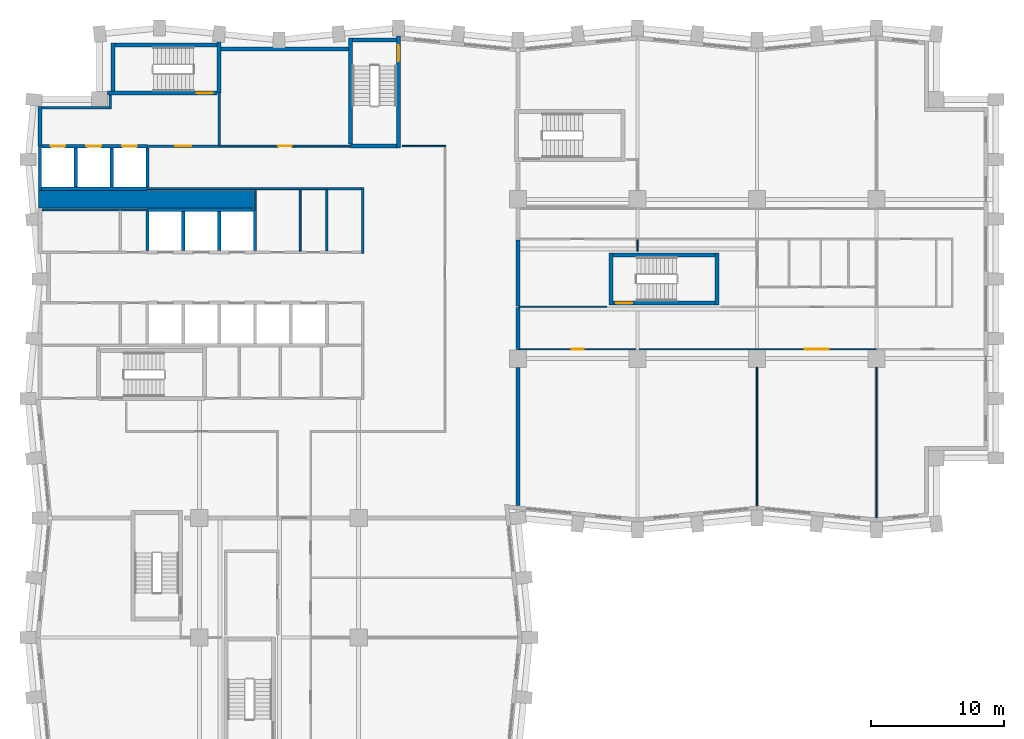
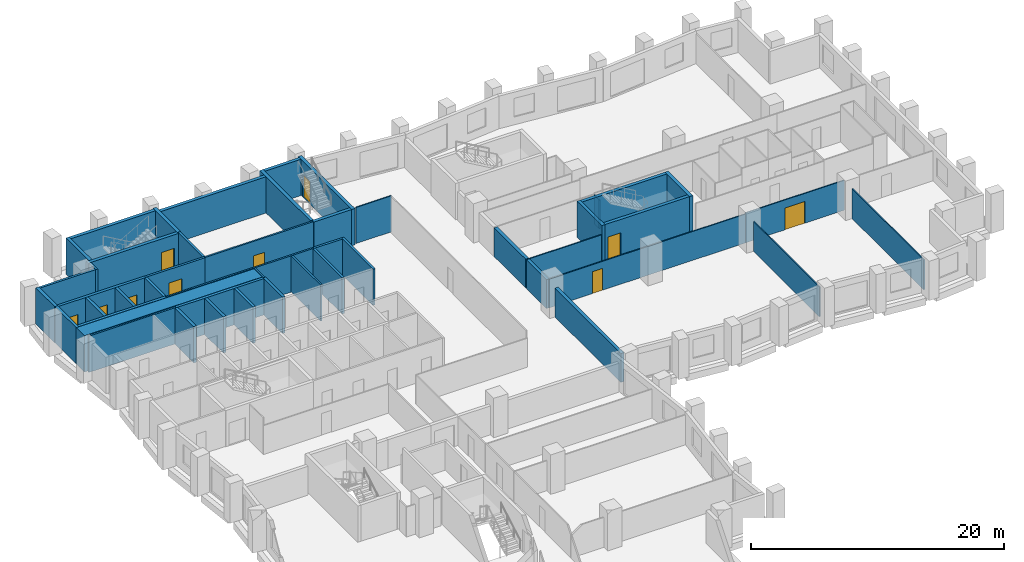
# One storey, part 6 of 11: 48 walls, 10 doors, 10 openings.
"""IFC4 building model written with IfcOpenShell, lengths in metres."""

from ifc_helpers import new_model, si_unit, direction, frame, frame_2d, origin, place, context, subcontext, project, spatial, rectangle, extrude, material, layer, layer_set, type_object, element, fill, save


model = new_model("IFC4")

# Units and contexts
model_context = context("Model", 3, precision=1e-05, world=origin(), true_north=direction((0.0, 1.0)))
body_context = subcontext(model_context, "Body", "Model", "MODEL_VIEW")
ifc_project = project(units=[si_unit("LENGTHUNIT", "METRE"), si_unit("AREAUNIT", "SQUARE_METRE"), si_unit("VOLUMEUNIT", "CUBIC_METRE"), si_unit("PLANEANGLEUNIT", "RADIAN"), si_unit("MASSUNIT", "GRAM", prefix="KILO")], contexts=[model_context])

# Site, building, storey
site_placement = place(None, origin())
site = spatial("IfcSite", under=ifc_project, at=site_placement, CompositionType="ELEMENT")
building_placement = place(site_placement, origin())
building = spatial("IfcBuilding", under=site, at=building_placement, Name="Brondeck Convention Tower", CompositionType="ELEMENT")
storey_placement = place(building_placement, frame((0.0, 0.0, 107.5)))
storey = spatial("IfcBuildingStorey", under=building, at=storey_placement, Name="L25", CompositionType="ELEMENT", Elevation=107.5)

# Walls
ifc_material_1 = material(Name="Concrete compartment wall C30/37", Category="concrete")
ifc_layer_1 = layer(ifc_material_1, 0.300048828125)
ifc_layer_set_1 = layer_set([ifc_layer_1], Name="Compartment wall 300")
wall_type_1 = type_object("IfcWallType", Name="Compartment wall 300", PredefinedType="PARTITIONING", material=ifc_layer_set_1)
wall_1_placement = place(storey_placement, frame((36.0, 27.924560546875, 0.0), z_axis=(0.0, 0.0, 1.0), x_axis=(0.0, 1.0, 0.0)))
element("IfcWall", 1, at=wall_1_placement, inside=storey, type_object=wall_type_1, Name="FLR-L25-W027", PredefinedType="PARTITIONING", context=body_context, shape_type="SweptSolid", body=[
    extrude(rectangle(XDim=10.42041015625, YDim=0.300048828125, at=frame_2d((5.210205078125, 0.0))), origin(), (0.0, 0.0, 1.0), 2.780029296875),
])
wall_2_placement = place(storey_placement, frame((36.0, 39.669921875, 0.0), z_axis=(0.0, 0.0, 1.0), x_axis=(0.0, 1.0, 0.0)))
element("IfcWall", 2, at=wall_2_placement, inside=storey, type_object=wall_type_1, Name="FLR-L25-W037", PredefinedType="PARTITIONING", context=body_context, shape_type="SweptSolid", body=[
    extrude(rectangle(XDim=3.18017578125, YDim=0.300048828125, at=frame_2d((1.590087890625, 0.0))), origin(), (0.0, 0.0, 1.0), 2.780029296875),
])
wall_3_placement = place(storey_placement, frame((36.0, 42.949951171875, 0.0), z_axis=(0.0, 0.0, 1.0), x_axis=(0.0, 1.0, 0.0)))
element("IfcWall", 3, at=wall_3_placement, inside=storey, type_object=wall_type_1, Name="FLR-L25-W042", PredefinedType="PARTITIONING", context=body_context, shape_type="SweptSolid", body=[
    extrude(rectangle(XDim=5.0, YDim=0.300048828125, at=frame_2d((2.5, 0.0))), origin(), (0.0, 0.0, 1.0), 2.780029296875),
])
ifc_material_2 = material(Name="Concrete C70/85", Category="concrete")
ifc_layer_2 = layer(ifc_material_2, 0.199951171875)
ifc_layer_set_2 = layer_set([ifc_layer_2], Name="Core beam-seat wall 200 Concrete C70/85")
wall_type_2 = type_object("IfcWallType", Name="Core beam-seat wall 200 Concrete C70/85", PredefinedType="SHEAR", material=ifc_layer_set_2)
wall_4_placement = place(storey_placement, frame((24.300048828125, 46.89990234375, 0.0), z_axis=(0.0, 0.0, 1.0), x_axis=(0.0, 1.0, 0.0)))
element("IfcWall", 4, at=wall_4_placement, inside=storey, type_object=wall_type_2, Name="L25 core wall", PredefinedType="SHEAR", context=body_context, shape_type="SweptSolid", body=[
    extrude(rectangle(XDim=5.0, YDim=0.199951171875, at=frame_2d((2.5, 0.0))), origin(), (0.0, 0.0, 1.0), 3.5),
])
ifc_layer_3 = layer(ifc_material_2, 0.300048828125)
ifc_layer_set_3 = layer_set([ifc_layer_3], Name="Core outer wall 300 Concrete C70/85")
wall_type_3 = type_object("IfcWallType", Name="Core outer wall 300 Concrete C70/85", PredefinedType="SHEAR", material=ifc_layer_set_3)
wall_5_placement = place(storey_placement, frame((13.64990234375, 62.300048828125, 0.0), z_axis=(0.0, 0.0, 1.0), x_axis=(1.0, 0.0, 0.0)))
element("IfcWall", 5, at=wall_5_placement, inside=storey, type_object=wall_type_3, Name="L25 core wall", PredefinedType="SHEAR", context=body_context, shape_type="SweptSolid", body=[
    extrude(rectangle(XDim=9.60009765625, YDim=0.300048828125, at=frame_2d((4.800048828125, 0.0))), origin(), (0.0, 0.0, 1.0), 3.5),
])
wall_6_placement = place(storey_placement, frame((0.0, 55.0, 0.0), z_axis=(0.0, 0.0, 1.0), x_axis=(0.0, 1.0, 0.0)))
element("IfcWall", 6, at=wall_6_placement, inside=storey, type_object=wall_type_3, Name="L25 core wall", PredefinedType="SHEAR", context=body_context, shape_type="SweptSolid", body=[
    extrude(rectangle(XDim=3.0, YDim=0.300048828125, at=frame_2d((1.5, 0.0))), origin(), (0.0, 0.0, 1.0), 3.5),
])
ifc_material_3 = material(Name="Fire-rated gypsum board partition")
ifc_layer_4 = layer(ifc_material_3, 0.14990234375)
ifc_layer_set_4 = layer_set([ifc_layer_4], Name="Core partition 150 EI 60")
wall_type_4 = type_object("IfcWallType", Name="Core partition 150 EI 60", PredefinedType="PARTITIONING", material=ifc_layer_set_4)
wall_7_placement = place(storey_placement, frame((0.14990234375, 50.199951171875, 0.0), z_axis=(0.0, 0.0, 1.0), x_axis=(1.0, 0.0, 0.0)))
element("IfcWall", 7, at=wall_7_placement, inside=storey, type_object=wall_type_4, Name="L25 core wall", PredefinedType="PARTITIONING", context=body_context, shape_type="SweptSolid", body=[
    extrude(rectangle(XDim=7.9501953125, YDim=0.14990234375, at=frame_2d((3.97509765625, 0.0))), origin(), (0.0, 0.0, 1.0), 3.5),
])
wall_8_placement = place(storey_placement, frame((8.10009765625, 51.800048828125, 0.0), z_axis=(0.0, 0.0, 1.0), x_axis=(1.0, 0.0, 0.0)))
element("IfcWall", 8, at=wall_8_placement, inside=storey, type_object=wall_type_4, Name="L25 core wall", PredefinedType="PARTITIONING", context=body_context, shape_type="SweptSolid", body=[
    extrude(rectangle(XDim=13.5, YDim=0.14990234375, at=frame_2d((6.75, 0.0))), origin(), (0.0, 0.0, 1.0), 3.5),
])

# Wall, opening, door
wall_9_placement = place(storey_placement, frame((13.5, 55.0, 0.0), z_axis=(0.0, 0.0, 1.0), x_axis=(1.0, 0.0, 0.0)))
wall_9 = element("IfcWall", 9, at=wall_9_placement, inside=storey, type_object=wall_type_4, Name="L25 core wall", PredefinedType="PARTITIONING", context=body_context, shape_type="SweptSolid", body=[
    extrude(rectangle(XDim=9.89990234375, YDim=0.14990234375, at=frame_2d((4.949951171875, 0.0))), origin(), (0.0, 0.0, 1.0), 3.5),
])
opening_1_placement = place(wall_9_placement, frame((4.449951171875, 0.0, 0.0)))
opening_1 = element("IfcOpeningElement", 10, at=opening_1_placement, cuts=wall_9, Name="Opening C15-15", PredefinedType="OPENING", context=body_context, shape_type="SweptSolid", body=[
    extrude(rectangle(XDim=1.0, YDim=2.10009765625, at=frame_2d((0.5, 1.050048828125))), frame((0.0, 0.0849609375, 0.0), z_axis=(0.0, -1.0, 0.0), x_axis=(1.0, 0.0, 0.0)), (0.0, 0.0, 1.0), 0.169921875),
])
ifc_material_4 = material(Name="Steel fire door", Category="steel")
door_type_1 = type_object("IfcDoorType", Name="Room door 1000x2100 EI 60", OperationType="NOTDEFINED", PredefinedType="DOOR", material=ifc_material_4)
door_1_placement = place(opening_1_placement, origin())
door_1 = element("IfcDoor", 11, at=door_1_placement, inside=storey, type_object=door_type_1, Name="L25 Room door NE-1", OperationType="SINGLE_SWING_LEFT", OverallHeight=2.10009765625, OverallWidth=1.0, PredefinedType="DOOR", context=body_context, shape_type="SweptSolid", body=[
    extrude(rectangle(XDim=1.0, YDim=2.10009765625, at=frame_2d((0.5, 1.050048828125))), frame((0.0, 0.02490234375, 0.0), z_axis=(0.0, -1.0, 0.0), x_axis=(1.0, 0.0, 0.0)), (0.0, 0.0, 1.0), 0.050048828125),
])
fill(opening_1, door_1)

# Walls
wall_10_placement = place(storey_placement, frame((16.199951171875, 50.199951171875, 0.0), z_axis=(0.0, 0.0, 1.0), x_axis=(0.0, 1.0, 0.0)))
element("IfcWall", 12, at=wall_10_placement, inside=storey, type_object=wall_type_4, Name="L25 core wall", PredefinedType="PARTITIONING", context=body_context, shape_type="SweptSolid", body=[
    extrude(rectangle(XDim=1.525146484375, YDim=0.14990234375, at=frame_2d((0.7626953125, 0.0))), origin(), (0.0, 0.0, 1.0), 3.5),
])
wall_11_placement = place(storey_placement, frame((19.60009765625, 47.10009765625, 0.0), z_axis=(0.0, 0.0, 1.0), x_axis=(0.0, 1.0, 0.0)))
element("IfcWall", 13, at=wall_11_placement, inside=storey, type_object=wall_type_4, Name="L25 core wall", PredefinedType="PARTITIONING", context=body_context, shape_type="SweptSolid", body=[
    extrude(rectangle(XDim=4.625, YDim=0.14990234375, at=frame_2d((2.3125, 0.0))), origin(), (0.0, 0.0, 1.0), 3.5),
])
ifc_layer_5 = layer(ifc_material_2, 1.300048828125)
ifc_layer_set_5 = layer_set([ifc_layer_5], Name="Core shear wall 1300 Concrete C70/85")
wall_type_5 = type_object("IfcWallType", Name="Core shear wall 1300 Concrete C70/85", PredefinedType="SHEAR", material=ifc_layer_set_5)
wall_12_placement = place(storey_placement, frame((-0.125, 51.0, 0.0), z_axis=(0.0, 0.0, 1.0), x_axis=(1.0, 0.0, 0.0)))
element("IfcWall", 14, at=wall_12_placement, inside=storey, type_object=wall_type_5, Name="L25 core wall", PredefinedType="SHEAR", context=body_context, shape_type="SweptSolid", body=[
    extrude(rectangle(XDim=16.22509765625, YDim=1.300048828125, at=frame_2d((8.112548828125, 0.0))), origin(), (0.0, 0.0, 1.0), 3.5),
])

# Wall, opening, door
ifc_layer_6 = layer(ifc_material_3, 0.199951171875)
ifc_layer_set_6 = layer_set([ifc_layer_6], Name="Firefighting lobby wall 200 EI 120")
wall_type_6 = type_object("IfcWallType", Name="Firefighting lobby wall 200 EI 120", PredefinedType="PARTITIONING", material=ifc_layer_set_6)
wall_13_placement = place(storey_placement, frame((8.10009765625, 55.0, 0.0), z_axis=(0.0, 0.0, 1.0), x_axis=(1.0, 0.0, 0.0)))
wall_13 = element("IfcWall", 15, at=wall_13_placement, inside=storey, type_object=wall_type_6, Name="L25 core wall", PredefinedType="PARTITIONING", context=body_context, shape_type="SweptSolid", body=[
    extrude(rectangle(XDim=5.39990234375, YDim=0.199951171875, at=frame_2d((2.699951171875, 0.0))), origin(), (0.0, 0.0, 1.0), 3.5),
])
opening_2_placement = place(wall_13_placement, frame((2.10009765625, 0.0, 0.0)))
opening_2 = element("IfcOpeningElement", 16, at=opening_2_placement, cuts=wall_13, Name="Opening C15-01", PredefinedType="OPENING", context=body_context, shape_type="SweptSolid", body=[
    extrude(rectangle(XDim=1.199951171875, YDim=2.199951171875, at=frame_2d((0.60009765625, 1.10009765625))), frame((0.0, 0.10986328125, 0.0), z_axis=(0.0, -1.0, 0.0), x_axis=(1.0, 0.0, 0.0)), (0.0, 0.0, 1.0), 0.219970703125),
])
door_type_2 = type_object("IfcDoorType", Name="Firefighting lobby door 1200x2200 EI 120", OperationType="NOTDEFINED", PredefinedType="DOOR", material=ifc_material_4)
door_2_placement = place(opening_2_placement, origin())
door_2 = element("IfcDoor", 17, at=door_2_placement, inside=storey, type_object=door_type_2, Name="L25 Firefighting lobby door FFL-1", OperationType="SINGLE_SWING_RIGHT", OverallHeight=2.199951171875, OverallWidth=1.199951171875, PredefinedType="DOOR", context=body_context, shape_type="SweptSolid", body=[
    extrude(rectangle(XDim=1.199951171875, YDim=2.199951171875, at=frame_2d((0.60009765625, 1.10009765625))), frame((0.0, 0.02490234375, 0.0), z_axis=(0.0, -1.0, 0.0), x_axis=(1.0, 0.0, 0.0)), (0.0, 0.0, 1.0), 0.050048828125),
])
fill(opening_2, door_2)

# Walls
wall_14_placement = place(storey_placement, frame((0.14990234375, 57.89990234375, 0.0), z_axis=(0.0, 0.0, 1.0), x_axis=(1.0, 0.0, 0.0)))
element("IfcWall", 18, at=wall_14_placement, inside=storey, type_object=wall_type_6, Name="L25 core wall", PredefinedType="PARTITIONING", context=body_context, shape_type="SweptSolid", body=[
    extrude(rectangle(XDim=5.050048828125, YDim=0.199951171875, at=frame_2d((2.52490234375, 0.0))), origin(), (0.0, 0.0, 1.0), 3.5),
])
wall_15_placement = place(storey_placement, frame((5.300048828125, 57.800048828125, 0.0), z_axis=(0.0, 0.0, 1.0), x_axis=(0.0, 1.0, 0.0)))
element("IfcWall", 19, at=wall_15_placement, inside=storey, type_object=wall_type_6, Name="L25 core wall", PredefinedType="PARTITIONING", context=body_context, shape_type="SweptSolid", body=[
    extrude(rectangle(XDim=1.050048828125, YDim=0.199951171875, at=frame_2d((0.52490234375, 0.0))), origin(), (0.0, 0.0, 1.0), 3.5),
])
wall_16_placement = place(storey_placement, frame((13.5, 55.10009765625, 0.0), z_axis=(0.0, 0.0, 1.0), x_axis=(0.0, 1.0, 0.0)))
element("IfcWall", 20, at=wall_16_placement, inside=storey, type_object=wall_type_6, Name="L25 core wall", PredefinedType="PARTITIONING", context=body_context, shape_type="SweptSolid", body=[
    extrude(rectangle(XDim=3.89990234375, YDim=0.199951171875, at=frame_2d((1.949951171875, 0.0))), origin(), (0.0, 0.0, 1.0), 3.5),
])
ifc_layer_7 = layer(ifc_material_2, 0.25)
ifc_layer_set_7 = layer_set([ifc_layer_7], Name="Lift shaft wall 250 Concrete C70/85")
wall_type_7 = type_object("IfcWallType", Name="Lift shaft wall 250 Concrete C70/85", PredefinedType="SHEAR", material=ifc_layer_set_7)
wall_17_placement = place(storey_placement, frame((8.10009765625, 50.199951171875, 0.0), z_axis=(0.0, 0.0, 1.0), x_axis=(1.0, 0.0, 0.0)))
element("IfcWall", 21, at=wall_17_placement, inside=storey, type_object=wall_type_7, Name="L25 core wall", PredefinedType="SHEAR", context=body_context, shape_type="SweptSolid", body=[
    extrude(rectangle(XDim=7.974853515625, YDim=0.25, at=frame_2d((3.9873046875, 0.0))), origin(), (0.0, 0.0, 1.0), 3.5),
])
wall_18_placement = place(storey_placement, frame((0.125, 51.800048828125, 0.0), z_axis=(0.0, 0.0, 1.0), x_axis=(1.0, 0.0, 0.0)))
element("IfcWall", 22, at=wall_18_placement, inside=storey, type_object=wall_type_7, Name="L25 core wall", PredefinedType="SHEAR", context=body_context, shape_type="SweptSolid", body=[
    extrude(rectangle(XDim=7.97509765625, YDim=0.25, at=frame_2d((3.987548828125, 0.0))), origin(), (0.0, 0.0, 1.0), 3.5),
])

# Wall, openings, doors
wall_19_placement = place(storey_placement, frame((0.14990234375, 55.0, 0.0), z_axis=(0.0, 0.0, 1.0), x_axis=(1.0, 0.0, 0.0)))
wall_19 = element("IfcWall", 23, at=wall_19_placement, inside=storey, type_object=wall_type_7, Name="L25 core wall", PredefinedType="SHEAR", context=body_context, shape_type="SweptSolid", body=[
    extrude(rectangle(XDim=7.9501953125, YDim=0.25, at=frame_2d((3.97509765625, 0.0))), origin(), (0.0, 0.0, 1.0), 3.5),
])
opening_3_placement = place(wall_19_placement, frame((0.64990234375, 0.0, 0.0)))
opening_3 = element("IfcOpeningElement", 24, at=opening_3_placement, cuts=wall_19, Name="Opening C15-23", PredefinedType="OPENING", context=body_context, shape_type="SweptSolid", body=[
    extrude(rectangle(XDim=1.10009765625, YDim=2.10009765625, at=frame_2d((0.550048828125, 1.050048828125))), frame((0.0, 0.135009765625, 0.0), z_axis=(0.0, -1.0, 0.0), x_axis=(1.0, 0.0, 0.0)), (0.0, 0.0, 1.0), 0.27001953125),
])
opening_4_placement = place(wall_19_placement, frame((3.35009765625, 0.0, 0.0)))
opening_4 = element("IfcOpeningElement", 25, at=opening_4_placement, cuts=wall_19, Name="Opening C15-24", PredefinedType="OPENING", context=body_context, shape_type="SweptSolid", body=[
    extrude(rectangle(XDim=1.10009765625, YDim=2.10009765625, at=frame_2d((0.550048828125, 1.050048828125))), frame((0.0, 0.135009765625, 0.0), z_axis=(0.0, -1.0, 0.0), x_axis=(1.0, 0.0, 0.0)), (0.0, 0.0, 1.0), 0.27001953125),
])
opening_5_placement = place(wall_19_placement, frame((6.050048828125, 0.0, 0.0)))
opening_5 = element("IfcOpeningElement", 26, at=opening_5_placement, cuts=wall_19, Name="Opening C15-25", PredefinedType="OPENING", context=body_context, shape_type="SweptSolid", body=[
    extrude(rectangle(XDim=1.10009765625, YDim=2.10009765625, at=frame_2d((0.550048828125, 1.050048828125))), frame((0.0, 0.135009765625, 0.0), z_axis=(0.0, -1.0, 0.0), x_axis=(1.0, 0.0, 0.0)), (0.0, 0.0, 1.0), 0.27001953125),
])
ifc_material_5 = material(Name="Stainless steel lift door", Category="steel")
door_type_3 = type_object("IfcDoorType", Name="Lift landing door 1100x2100 EI 180", OperationType="DOUBLE_DOOR_SLIDING", PredefinedType="DOOR", material=ifc_material_5)
door_3_placement = place(opening_3_placement, origin())
door_3 = element("IfcDoor", 27, at=door_3_placement, inside=storey, type_object=door_type_3, Name="L25 Lift landing door FF1", OperationType="DOUBLE_DOOR_SLIDING", OverallHeight=2.10009765625, OverallWidth=1.10009765625, PredefinedType="DOOR", context=body_context, shape_type="SweptSolid", body=[
    extrude(rectangle(XDim=1.10009765625, YDim=2.10009765625, at=frame_2d((0.550048828125, 1.050048828125))), frame((0.0, 0.02490234375, 0.0), z_axis=(0.0, -1.0, 0.0), x_axis=(1.0, 0.0, 0.0)), (0.0, 0.0, 1.0), 0.050048828125),
])
fill(opening_3, door_3)
door_4_placement = place(opening_4_placement, origin())
door_4 = element("IfcDoor", 28, at=door_4_placement, inside=storey, type_object=door_type_3, Name="L25 Lift landing door FF2", OperationType="DOUBLE_DOOR_SLIDING", OverallHeight=2.10009765625, OverallWidth=1.10009765625, PredefinedType="DOOR", context=body_context, shape_type="SweptSolid", body=[
    extrude(rectangle(XDim=1.10009765625, YDim=2.10009765625, at=frame_2d((0.550048828125, 1.050048828125))), frame((0.0, 0.02490234375, 0.0), z_axis=(0.0, -1.0, 0.0), x_axis=(1.0, 0.0, 0.0)), (0.0, 0.0, 1.0), 0.050048828125),
])
fill(opening_4, door_4)
door_5_placement = place(opening_5_placement, origin())
door_5 = element("IfcDoor", 29, at=door_5_placement, inside=storey, type_object=door_type_3, Name="L25 Lift landing door FF3", OperationType="DOUBLE_DOOR_SLIDING", OverallHeight=2.10009765625, OverallWidth=1.10009765625, PredefinedType="DOOR", context=body_context, shape_type="SweptSolid", body=[
    extrude(rectangle(XDim=1.10009765625, YDim=2.10009765625, at=frame_2d((0.550048828125, 1.050048828125))), frame((0.0, 0.02490234375, 0.0), z_axis=(0.0, -1.0, 0.0), x_axis=(1.0, 0.0, 0.0)), (0.0, 0.0, 1.0), 0.050048828125),
])
fill(opening_5, door_5)

# Walls
wall_20_placement = place(storey_placement, frame((0.0, 51.64990234375, 0.0), z_axis=(0.0, 0.0, 1.0), x_axis=(0.0, 1.0, 0.0)))
element("IfcWall", 30, at=wall_20_placement, inside=storey, type_object=wall_type_7, Name="L25 core wall", PredefinedType="SHEAR", context=body_context, shape_type="SweptSolid", body=[
    extrude(rectangle(XDim=3.35009765625, YDim=0.25, at=frame_2d((1.675048828125, 0.0))), origin(), (0.0, 0.0, 1.0), 3.5),
])
for number, where, z_axis, x_axis, name in (
    (31, (2.699951171875, 51.925048828125, 0.0), (0.0, 0.0, 1.0), (0.0, 1.0, 0.0), "L25 core wall"),
    (32, (5.39990234375, 51.925048828125, 0.0), (0.0, 0.0, 1.0), (0.0, 1.0, 0.0), "L25 core wall"),
    (33, (8.10009765625, 47.125, 0.0), (0.0, 0.0, 1.0), (0.0, 1.0, 0.0), "L25 core wall"),
    (34, (8.10009765625, 51.925048828125, 0.0), (0.0, 0.0, 1.0), (0.0, 1.0, 0.0), "L25 core wall"),
    (35, (10.800048828125, 47.125, 0.0), (0.0, 0.0, 1.0), (0.0, 1.0, 0.0), "L25 core wall"),
    (36, (13.5, 47.125, 0.0), (0.0, 0.0, 1.0), (0.0, 1.0, 0.0), "L25 core wall"),
):
    element("IfcWall", number, at=place(storey_placement, frame(where, z_axis=z_axis, x_axis=x_axis)), inside=storey, type_object=wall_type_7, Name=name, PredefinedType="SHEAR", context=body_context, shape_type="SweptSolid", body=[
        extrude(rectangle(XDim=2.949951171875, YDim=0.25, at=frame_2d((1.47509765625, 0.0))), origin(), (0.0, 0.0, 1.0), 3.5),
    ])
wall_21_placement = place(storey_placement, frame((16.199951171875, 47.125, 0.0), z_axis=(0.0, 0.0, 1.0), x_axis=(0.0, 1.0, 0.0)))
element("IfcWall", 37, at=wall_21_placement, inside=storey, type_object=wall_type_7, Name="L25 core wall", PredefinedType="SHEAR", context=body_context, shape_type="SweptSolid", body=[
    extrude(rectangle(XDim=3.074951171875, YDim=0.25, at=frame_2d((1.53759765625, 0.0))), origin(), (0.0, 0.0, 1.0), 3.5),
])
ifc_layer_8 = layer(ifc_material_3, 0.199951171875)
ifc_layer_set_8 = layer_set([ifc_layer_8], Name="Riser wall 200 EI 120")
wall_type_8 = type_object("IfcWallType", Name="Riser wall 200 EI 120", PredefinedType="PARTITIONING", material=ifc_layer_set_8)
wall_22_placement = place(storey_placement, frame((21.60009765625, 51.800048828125, 0.0), z_axis=(0.0, 0.0, 1.0), x_axis=(1.0, 0.0, 0.0)))
element("IfcWall", 38, at=wall_22_placement, inside=storey, type_object=wall_type_8, Name="L25 core wall", PredefinedType="PARTITIONING", context=body_context, shape_type="SweptSolid", body=[
    extrude(rectangle(XDim=2.599853515625, YDim=0.199951171875, at=frame_2d((1.2998046875, 0.0))), origin(), (0.0, 0.0, 1.0), 3.5),
])
wall_23_placement = place(storey_placement, frame((21.60009765625, 47.10009765625, 0.0), z_axis=(0.0, 0.0, 1.0), x_axis=(0.0, 1.0, 0.0)))
element("IfcWall", 39, at=wall_23_placement, inside=storey, type_object=wall_type_8, Name="L25 core wall", PredefinedType="PARTITIONING", context=body_context, shape_type="SweptSolid", body=[
    extrude(rectangle(XDim=4.599853515625, YDim=0.199951171875, at=frame_2d((2.2998046875, 0.0))), origin(), (0.0, 0.0, 1.0), 3.5),
])
ifc_material_6 = material(Name="Gypsum board partition on steel studs", Category="steel")
ifc_layer_9 = layer(ifc_material_6, 0.10009765625)
ifc_layer_set_9 = layer_set([ifc_layer_9], Name="Room partition 100")
wall_type_9 = type_object("IfcWallType", Name="Room partition 100", PredefinedType="PARTITIONING", material=ifc_layer_set_9)
wall_24_placement = place(storey_placement, frame((54.0, 38.344970703125, 0.0), z_axis=(0.0, 0.0, 1.0), x_axis=(0.0, -1.0, 0.0)))
element("IfcWall", 40, at=wall_24_placement, inside=storey, type_object=wall_type_9, Name="FLR-L25-W032", PredefinedType="PARTITIONING", context=body_context, shape_type="SweptSolid", body=[
    extrude(rectangle(XDim=10.42041015625, YDim=0.10009765625, at=frame_2d((5.210205078125, 0.0))), origin(), (0.0, 0.0, 1.0), 2.8798828125),
])
wall_25_placement = place(storey_placement, frame((63.0, 38.344970703125, 0.0), z_axis=(0.0, 0.0, 1.0), x_axis=(0.0, -1.0, 0.0)))
element("IfcWall", 41, at=wall_25_placement, inside=storey, type_object=wall_type_9, Name="FLR-L25-W033", PredefinedType="PARTITIONING", context=body_context, shape_type="SweptSolid", body=[
    extrude(rectangle(XDim=11.320556640625, YDim=0.10009765625, at=frame_2d((5.66015625, 0.0))), origin(), (0.0, 0.0, 1.0), 2.8798828125),
])

# Wall, opening, door
wall_26_placement = place(storey_placement, frame((54.0, 39.699951171875, 0.0), z_axis=(0.0, 0.0, 1.0), x_axis=(-1.0, 0.0, 0.0)))
wall_26 = element("IfcWall", 42, at=wall_26_placement, inside=storey, type_object=wall_type_9, Name="FLR-L25-W034", PredefinedType="PARTITIONING", context=body_context, shape_type="SweptSolid", body=[
    extrude(rectangle(XDim=17.949951171875, YDim=0.10009765625, at=frame_2d((8.97509765625, 0.0))), origin(), (0.0, 0.0, 1.0), 2.780029296875),
])
opening_6_placement = place(wall_26_placement, frame((13.050048828125, 0.0, 0.0)))
opening_6 = element("IfcOpeningElement", 43, at=opening_6_placement, cuts=wall_26, Name="Opening OF-B-009", PredefinedType="OPENING", context=body_context, shape_type="SweptSolid", body=[
    extrude(rectangle(XDim=0.89990234375, YDim=2.10009765625, at=frame_2d((0.449951171875, 1.050048828125))), frame((0.0, 0.06005859375, 0.0), z_axis=(0.0, -1.0, 0.0), x_axis=(1.0, 0.0, 0.0)), (0.0, 0.0, 1.0), 0.1201171875),
])
ifc_material_7 = material(Name="Solid timber door leaf", Category="wood")
door_type_4 = type_object("IfcDoorType", Name="Single door 900", OperationType="NOTDEFINED", PredefinedType="DOOR", material=ifc_material_7)
door_6_placement = place(opening_6_placement, origin())
door_6 = element("IfcDoor", 44, at=door_6_placement, inside=storey, type_object=door_type_4, Name="Door OF-B-009", OperationType="SINGLE_SWING_LEFT", OverallHeight=2.10009765625, OverallWidth=0.89990234375, PredefinedType="DOOR", context=body_context, shape_type="SweptSolid", body=[
    extrude(rectangle(XDim=0.89990234375, YDim=2.10009765625, at=frame_2d((0.449951171875, 1.050048828125))), frame((0.0, 0.02490234375, 0.0), z_axis=(0.0, -1.0, 0.0), x_axis=(1.0, 0.0, 0.0)), (0.0, 0.0, 1.0), 0.050048828125),
])
fill(opening_6, door_6)

wall_27_placement = place(storey_placement, frame((63.0, 39.699951171875, 0.0), z_axis=(0.0, 0.0, 1.0), x_axis=(-1.0, 0.0, 0.0)))
wall_27 = element("IfcWall", 45, at=wall_27_placement, inside=storey, type_object=wall_type_9, Name="FLR-L25-W035", PredefinedType="PARTITIONING", context=body_context, shape_type="SweptSolid", body=[
    extrude(rectangle(XDim=9.0, YDim=0.10009765625, at=frame_2d((4.5, 0.0))), origin(), (0.0, 0.0, 1.0), 2.8798828125),
])
opening_7_placement = place(wall_27_placement, frame((3.60009765625, 0.0, 0.0)))
opening_7 = element("IfcOpeningElement", 46, at=opening_7_placement, cuts=wall_27, Name="Opening OF-B-010", PredefinedType="OPENING", context=body_context, shape_type="SweptSolid", body=[
    extrude(rectangle(XDim=1.800048828125, YDim=2.10009765625, at=frame_2d((0.89990234375, 1.050048828125))), frame((0.0, 0.06005859375, 0.0), z_axis=(0.0, -1.0, 0.0), x_axis=(1.0, 0.0, 0.0)), (0.0, 0.0, 1.0), 0.1201171875),
])
ifc_material_8 = material(Name="Glazed timber double door", Category="wood")
door_type_5 = type_object("IfcDoorType", Name="Double door 1800", OperationType="DOUBLE_DOOR_SINGLE_SWING", PredefinedType="DOOR", material=ifc_material_8)
door_7_placement = place(opening_7_placement, origin())
door_7 = element("IfcDoor", 47, at=door_7_placement, inside=storey, type_object=door_type_5, Name="Door OF-B-010", OperationType="DOUBLE_DOOR_SINGLE_SWING", OverallHeight=2.10009765625, OverallWidth=1.800048828125, PredefinedType="DOOR", context=body_context, shape_type="SweptSolid", body=[
    extrude(rectangle(XDim=1.800048828125, YDim=2.10009765625, at=frame_2d((0.89990234375, 1.050048828125))), frame((0.0, 0.02490234375, 0.0), z_axis=(0.0, -1.0, 0.0), x_axis=(1.0, 0.0, 0.0)), (0.0, 0.0, 1.0), 0.050048828125),
])
fill(opening_7, door_7)

# Walls
wall_28_placement = place(storey_placement, frame((36.050048828125, 42.89990234375, 0.0), z_axis=(0.0, 0.0, 1.0), x_axis=(1.0, 0.0, 0.0)))
element("IfcWall", 48, at=wall_28_placement, inside=storey, type_object=wall_type_9, Name="FLR-L25-W038", PredefinedType="PARTITIONING", context=body_context, shape_type="SweptSolid", body=[
    extrude(rectangle(XDim=6.64990234375, YDim=0.10009765625, at=frame_2d((3.324951171875, 0.0))), origin(), (0.0, 0.0, 1.0), 2.780029296875),
])
wall_29_placement = place(storey_placement, frame((45.0, 47.949951171875, 0.0), z_axis=(0.0, 0.0, 1.0), x_axis=(0.0, -1.0, 0.0)))
element("IfcWall", 49, at=wall_29_placement, inside=storey, type_object=wall_type_9, Name="FLR-L25-W049", PredefinedType="PARTITIONING", context=body_context, shape_type="SweptSolid", body=[
    extrude(rectangle(XDim=0.849853515625, YDim=0.10009765625, at=frame_2d((0.4248046875, 0.0))), origin(), (0.0, 0.0, 1.0), 2.780029296875),
])
wall_30_placement = place(storey_placement, frame((27.300048828125, 55.0, 0.0), z_axis=(0.0, 0.0, 1.0), x_axis=(1.0, 0.0, 0.0)))
element("IfcWall", 50, at=wall_30_placement, inside=storey, type_object=wall_type_9, Name="FLR-L25-W073", PredefinedType="PARTITIONING", context=body_context, shape_type="SweptSolid", body=[
    extrude(rectangle(XDim=3.25, YDim=0.10009765625, at=frame_2d((1.625, 0.0))), origin(), (0.0, 0.0, 1.0), 3.47998046875),
])

# Wall, opening, door
ifc_layer_10 = layer(ifc_material_2, 0.300048828125)
ifc_layer_set_10 = layer_set([ifc_layer_10], Name="Stair enclosure wall 300 Concrete C70/85")
wall_type_10 = type_object("IfcWallType", Name="Stair enclosure wall 300 Concrete C70/85", PredefinedType="SHEAR", material=ifc_layer_set_10)
wall_31_placement = place(storey_placement, frame((43.14990234375, 43.199951171875, 0.0), z_axis=(0.0, 0.0, 1.0), x_axis=(1.0, 0.0, 0.0)))
wall_31 = element("IfcWall", 51, at=wall_31_placement, inside=storey, type_object=wall_type_10, Name="L25 core wall", PredefinedType="SHEAR", context=body_context, shape_type="SweptSolid", body=[
    extrude(rectangle(XDim=7.7001953125, YDim=0.300048828125, at=frame_2d((3.85009765625, 0.0))), origin(), (0.0, 0.0, 1.0), 3.5),
])
opening_8_placement = place(wall_31_placement, frame((0.25, 0.0, 0.0)))
opening_8 = element("IfcOpeningElement", 52, at=opening_8_placement, cuts=wall_31, Name="Opening C15-20", PredefinedType="OPENING", context=body_context, shape_type="SweptSolid", body=[
    extrude(rectangle(XDim=1.199951171875, YDim=2.199951171875, at=frame_2d((0.60009765625, 1.10009765625))), frame((0.0, 0.159912109375, 0.0), z_axis=(0.0, -1.0, 0.0), x_axis=(1.0, 0.0, 0.0)), (0.0, 0.0, 1.0), 0.320068359375),
])
door_type_6 = type_object("IfcDoorType", Name="Stair door 1200x2200 EI 90", OperationType="NOTDEFINED", PredefinedType="DOOR", material=ifc_material_4)
door_8_placement = place(opening_8_placement, origin())
door_8 = element("IfcDoor", 53, at=door_8_placement, inside=storey, type_object=door_type_6, Name="L25 Stair door ST-AF", OperationType="SINGLE_SWING_RIGHT", OverallHeight=2.199951171875, OverallWidth=1.199951171875, PredefinedType="DOOR", context=body_context, shape_type="SweptSolid", body=[
    extrude(rectangle(XDim=1.199951171875, YDim=2.199951171875, at=frame_2d((0.60009765625, 1.10009765625))), frame((0.0, 0.02490234375, 0.0), z_axis=(0.0, -1.0, 0.0), x_axis=(1.0, 0.0, 0.0)), (0.0, 0.0, 1.0), 0.050048828125),
])
fill(opening_8, door_8)

# Walls
wall_32_placement = place(storey_placement, frame((43.14990234375, 46.800048828125, 0.0), z_axis=(0.0, 0.0, 1.0), x_axis=(1.0, 0.0, 0.0)))
element("IfcWall", 54, at=wall_32_placement, inside=storey, type_object=wall_type_10, Name="L25 core wall", PredefinedType="SHEAR", context=body_context, shape_type="SweptSolid", body=[
    extrude(rectangle(XDim=7.7001953125, YDim=0.300048828125, at=frame_2d((3.85009765625, 0.0))), origin(), (0.0, 0.0, 1.0), 3.5),
])
wall_33_placement = place(storey_placement, frame((23.39990234375, 55.0, 0.0), z_axis=(0.0, 0.0, 1.0), x_axis=(1.0, 0.0, 0.0)))
element("IfcWall", 55, at=wall_33_placement, inside=storey, type_object=wall_type_10, Name="L25 core wall", PredefinedType="SHEAR", context=body_context, shape_type="SweptSolid", body=[
    extrude(rectangle(XDim=3.4501953125, YDim=0.300048828125, at=frame_2d((1.72509765625, 0.0))), origin(), (0.0, 0.0, 1.0), 3.5),
])

# Wall, opening, door
wall_34_placement = place(storey_placement, frame((5.10009765625, 59.0, 0.0), z_axis=(0.0, 0.0, 1.0), x_axis=(1.0, 0.0, 0.0)))
wall_34 = element("IfcWall", 56, at=wall_34_placement, inside=storey, type_object=wall_type_10, Name="L25 core wall", PredefinedType="SHEAR", context=body_context, shape_type="SweptSolid", body=[
    extrude(rectangle(XDim=8.25, YDim=0.300048828125, at=frame_2d((4.125, 0.0))), origin(), (0.0, 0.0, 1.0), 3.5),
])
opening_9_placement = place(wall_34_placement, frame((6.699951171875, 0.0, 0.0)))
opening_9 = element("IfcOpeningElement", 57, at=opening_9_placement, cuts=wall_34, Name="Opening C15-18", PredefinedType="OPENING", context=body_context, shape_type="SweptSolid", body=[
    extrude(rectangle(XDim=1.199951171875, YDim=2.199951171875, at=frame_2d((0.60009765625, 1.10009765625))), frame((0.0, 0.159912109375, 0.0), z_axis=(0.0, -1.0, 0.0), x_axis=(1.0, 0.0, 0.0)), (0.0, 0.0, 1.0), 0.320068359375),
])
door_type_7 = type_object("IfcDoorType", Name="Stair door 1200x2200 EI 120", OperationType="NOTDEFINED", PredefinedType="DOOR", material=ifc_material_4)
door_9_placement = place(opening_9_placement, origin())
door_9 = element("IfcDoor", 58, at=door_9_placement, inside=storey, type_object=door_type_7, Name="L25 Stair door ST-3", OperationType="SINGLE_SWING_RIGHT", OverallHeight=2.199951171875, OverallWidth=1.199951171875, PredefinedType="DOOR", context=body_context, shape_type="SweptSolid", body=[
    extrude(rectangle(XDim=1.199951171875, YDim=2.199951171875, at=frame_2d((0.60009765625, 1.10009765625))), frame((0.0, 0.02490234375, 0.0), z_axis=(0.0, -1.0, 0.0), x_axis=(1.0, 0.0, 0.0)), (0.0, 0.0, 1.0), 0.050048828125),
])
fill(opening_9, door_9)

# Walls
wall_35_placement = place(storey_placement, frame((5.64990234375, 62.60009765625, 0.0), z_axis=(0.0, 0.0, 1.0), x_axis=(1.0, 0.0, 0.0)))
element("IfcWall", 59, at=wall_35_placement, inside=storey, type_object=wall_type_10, Name="L25 core wall", PredefinedType="SHEAR", context=body_context, shape_type="SweptSolid", body=[
    extrude(rectangle(XDim=7.7001953125, YDim=0.300048828125, at=frame_2d((3.85009765625, 0.0))), origin(), (0.0, 0.0, 1.0), 3.5),
])
wall_36_placement = place(storey_placement, frame((23.550048828125, 63.0, 0.0), z_axis=(0.0, 0.0, 1.0), x_axis=(1.0, 0.0, 0.0)))
element("IfcWall", 60, at=wall_36_placement, inside=storey, type_object=wall_type_10, Name="L25 core wall", PredefinedType="SHEAR", context=body_context, shape_type="SweptSolid", body=[
    extrude(rectangle(XDim=3.300048828125, YDim=0.300048828125, at=frame_2d((1.64990234375, 0.0))), origin(), (0.0, 0.0, 1.0), 3.5),
])
wall_37_placement = place(storey_placement, frame((5.5, 59.14990234375, 0.0), z_axis=(0.0, 0.0, 1.0), x_axis=(0.0, 1.0, 0.0)))
element("IfcWall", 61, at=wall_37_placement, inside=storey, type_object=wall_type_10, Name="L25 core wall", PredefinedType="SHEAR", context=body_context, shape_type="SweptSolid", body=[
    extrude(rectangle(XDim=3.60009765625, YDim=0.300048828125, at=frame_2d((1.800048828125, 0.0))), origin(), (0.0, 0.0, 1.0), 3.5),
])
wall_38_placement = place(storey_placement, frame((13.5, 59.0, 0.0), z_axis=(0.0, 0.0, 1.0), x_axis=(0.0, 1.0, 0.0)))
element("IfcWall", 62, at=wall_38_placement, inside=storey, type_object=wall_type_10, Name="L25 core wall", PredefinedType="SHEAR", context=body_context, shape_type="SweptSolid", body=[
    extrude(rectangle(XDim=3.846923828125, YDim=0.300048828125, at=frame_2d((1.92333984375, 0.0))), origin(), (0.0, 0.0, 1.0), 3.5),
])
wall_39_placement = place(storey_placement, frame((23.39990234375, 55.14990234375, 0.0), z_axis=(0.0, 0.0, 1.0), x_axis=(0.0, 1.0, 0.0)))
element("IfcWall", 63, at=wall_39_placement, inside=storey, type_object=wall_type_10, Name="L25 core wall", PredefinedType="SHEAR", context=body_context, shape_type="SweptSolid", body=[
    extrude(rectangle(XDim=8.0, YDim=0.300048828125, at=frame_2d((4.0, 0.0))), origin(), (0.0, 0.0, 1.0), 3.5),
])

# Wall, opening, door
wall_40_placement = place(storey_placement, frame((27.0, 54.85009765625, 0.0), z_axis=(0.0, 0.0, 1.0), x_axis=(0.0, 1.0, 0.0)))
wall_40 = element("IfcWall", 64, at=wall_40_placement, inside=storey, type_object=wall_type_10, Name="L25 core wall", PredefinedType="SHEAR", context=body_context, shape_type="SweptSolid", body=[
    extrude(rectangle(XDim=8.449951171875, YDim=0.300048828125, at=frame_2d((4.22509765625, 0.0))), origin(), (0.0, 0.0, 1.0), 3.5),
])
opening_10_placement = place(wall_40_placement, frame((6.550048828125, 0.0, 0.0)))
opening_10 = element("IfcOpeningElement", 65, at=opening_10_placement, cuts=wall_40, Name="Opening C15-17", PredefinedType="OPENING", context=body_context, shape_type="SweptSolid", body=[
    extrude(rectangle(XDim=1.199951171875, YDim=2.199951171875, at=frame_2d((0.60009765625, 1.10009765625))), frame((0.0, 0.159912109375, 0.0), z_axis=(0.0, -1.0, 0.0), x_axis=(1.0, 0.0, 0.0)), (0.0, 0.0, 1.0), 0.320068359375),
])
door_10_placement = place(opening_10_placement, origin())
door_10 = element("IfcDoor", 66, at=door_10_placement, inside=storey, type_object=door_type_6, Name="L25 Stair door ST-2", OperationType="SINGLE_SWING_LEFT", OverallHeight=2.199951171875, OverallWidth=1.199951171875, PredefinedType="DOOR", context=body_context, shape_type="SweptSolid", body=[
    extrude(rectangle(XDim=1.199951171875, YDim=2.199951171875, at=frame_2d((0.60009765625, 1.10009765625))), frame((0.0, 0.02490234375, 0.0), z_axis=(0.0, -1.0, 0.0), x_axis=(1.0, 0.0, 0.0)), (0.0, 0.0, 1.0), 0.050048828125),
])
fill(opening_10, door_10)

# Walls
for number, where, z_axis, x_axis, name in (
    (67, (43.0, 43.050048828125, 0.0), (0.0, 0.0, 1.0), (0.0, 1.0, 0.0), "L25 core wall"),
    (68, (51.0, 43.050048828125, 0.0), (0.0, 0.0, 1.0), (0.0, 1.0, 0.0), "L25 core wall"),
):
    element("IfcWall", number, at=place(storey_placement, frame(where, z_axis=z_axis, x_axis=x_axis)), inside=storey, type_object=wall_type_10, Name=name, PredefinedType="SHEAR", context=body_context, shape_type="SweptSolid", body=[
        extrude(rectangle(XDim=3.89990234375, YDim=0.300048828125, at=frame_2d((1.949951171875, 0.0))), origin(), (0.0, 0.0, 1.0), 3.5),
    ])

save(model, "model.ifc")
